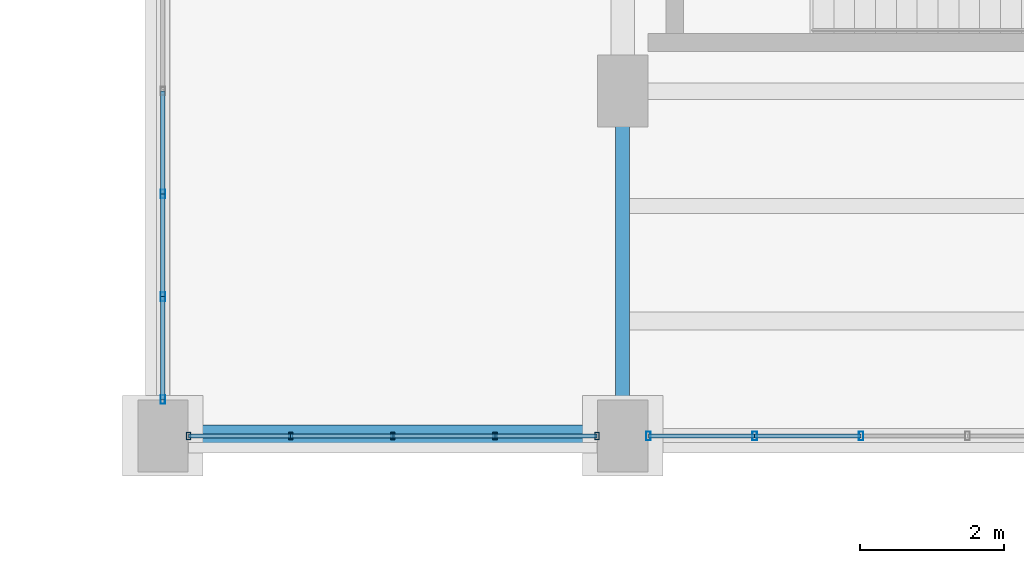
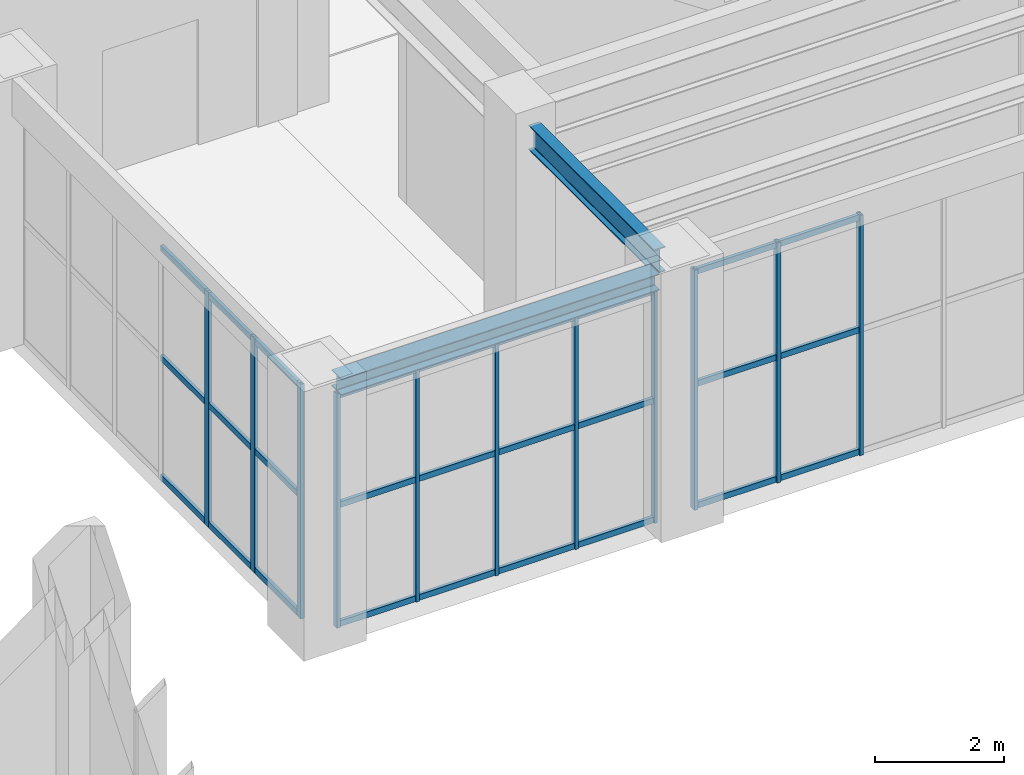
# One storey, part 54 of 174: 38 members, 2 beams, 3 elements without a shape of their own.
"""IFC4 building model written with IfcOpenShell, lengths in metres."""

from ifc_helpers import new_model, si_unit, direction, frame, origin, origin_2d, place, context, subcontext, project, spatial, hollow_rectangle, i_section, extrude, material, material_profile, profile_set, type_object, element, aggregate, save


model = new_model("IFC4")

# Units and contexts
model_context = context("Model", 3, precision=1e-05, world=origin(), true_north=direction((0.0, 1.0)))
body_context = subcontext(model_context, "Body", "Model", "MODEL_VIEW")
ifc_project = project(units=[si_unit("LENGTHUNIT", "METRE"), si_unit("AREAUNIT", "SQUARE_METRE"), si_unit("VOLUMEUNIT", "CUBIC_METRE"), si_unit("PLANEANGLEUNIT", "RADIAN"), si_unit("MASSUNIT", "GRAM", prefix="KILO")], contexts=[model_context])

# Site, building, storey
site_placement = place(None, origin())
site = spatial("IfcSite", under=ifc_project, at=site_placement, CompositionType="ELEMENT")
building_placement = place(site_placement, origin())
building = spatial("IfcBuilding", under=site, at=building_placement, Name="Mavantir Sound Aquarium", CompositionType="ELEMENT")
storey_placement = place(building_placement, frame((0.0, 0.0, 5.39990234375)))
storey = spatial("IfcBuildingStorey", under=building, at=storey_placement, Name="L01", CompositionType="ELEMENT", Elevation=5.39990234375)

# Beams
ifc_material_1 = material(Name="Structural Steel ASTM A992 Gr50", Category="steel")
ifc_material_profile_1 = material_profile(ifc_material_1, i_section(OverallWidth=0.304931640625, OverallDepth=0.30810546875, WebThickness=0.010009765625, FlangeThickness=0.015380859375, FilletRadius=0.014892578125, at=origin_2d()), Name="W310X97")
ifc_profile_set_1 = profile_set([ifc_material_profile_1], Name="Structural Steel ASTM A992 Gr50")
beam_type_1 = type_object("IfcBeamType", Name="BM-W310X97-E", PredefinedType="SPANDREL", material=ifc_profile_set_1)
beam_1_placement = place(storey_placement, frame((101.949951171875, 36.0, 4.6220703125), z_axis=(1.0, 0.0, 0.0), x_axis=(0.0, 1.0, 0.0)))
element("IfcBeam", 1, at=beam_1_placement, inside=storey, type_object=beam_type_1, Name="L01 primary beam SS-31A 1237", PredefinedType="SPANDREL", context=body_context, shape_type="SweptSolid", body=[
    extrude(i_section(OverallWidth=0.304931640625, OverallDepth=0.30810546875, WebThickness=0.010009765625, FlangeThickness=0.015380859375, FilletRadius=0.014892578125, at=origin_2d()), origin(), (0.0, 0.0, 1.0), 5.699951171875),
])
ifc_material_profile_2 = material_profile(ifc_material_1, i_section(OverallWidth=0.194091796875, OverallDepth=0.468994140625, WebThickness=0.0126953125, FlangeThickness=0.0205078125, FilletRadius=0.01611328125, at=origin_2d()), Name="W460X106")
ifc_profile_set_2 = profile_set([ifc_material_profile_2], Name="Structural Steel ASTM A992 Gr50")
beam_type_2 = type_object("IfcBeamType", Name="BM-W460X106-I", PredefinedType="BEAM", material=ifc_profile_set_2)
beam_2_placement = place(storey_placement, frame((108.0, 36.449951171875, 4.54150390625), z_axis=(0.0, 1.0, 0.0), x_axis=(-1.0, 0.0, 0.0)))
element("IfcBeam", 2, at=beam_2_placement, inside=storey, type_object=beam_type_2, Name="L01 primary girder SB-46 1290", PredefinedType="BEAM", context=body_context, shape_type="SweptSolid", body=[
    extrude(i_section(OverallWidth=0.194091796875, OverallDepth=0.468994140625, WebThickness=0.0126953125, FlangeThickness=0.0205078125, FilletRadius=0.01611328125, at=origin_2d()), origin(), (0.0, 0.0, 1.0), 3.900146484375),
])

# Curtain wall, members
ifc_material_2 = material(Name="Anodised Marine Aluminium and Low-E Glass", Category="aluminium")
curtain_wall_type_1 = type_object("IfcCurtainWallType", Name="CW-T01", PredefinedType="USERDEFINED", material=ifc_material_2)
curtain_wall_1_placement = place(storey_placement, origin())
curtain_wall_1 = element("IfcCurtainWall", 3, at=curtain_wall_1_placement, inside=storey, type_object=curtain_wall_type_1, Name="L01 unitised curtain wall CW-01 97", ObjectType="UNITISED GLAZING", PredefinedType="USERDEFINED")
ifc_material_3 = material(Name="Anodised Marine Aluminium 6063-T6", Category="aluminium")
ifc_material_profile_3 = material_profile(ifc_material_3, hollow_rectangle(XDim=0.06005859375, YDim=0.10009765625, WallThickness=0.00390625, at=origin_2d()), Name="ALU-MULLION-100X60")
ifc_profile_set_3 = profile_set([ifc_material_profile_3], Name="Anodised Marine Aluminium 6063-T6")
member_type_1 = type_object("IfcMemberType", Name="CW-MUL-100", PredefinedType="MULLION", material=ifc_profile_set_3)
member_1_placement = place(storey_placement, frame((101.9580078125, 36.0, 0.0), z_axis=(0.0, 0.0, 1.0), x_axis=(1.0, 0.0, 0.0)))
member_1 = element("IfcMember", 4, at=member_1_placement, type_object=member_type_1, Name="CW-L01-097 vertical mullion 1", PredefinedType="MULLION", context=body_context, shape_type="SweptSolid", body=[
    extrude(hollow_rectangle(XDim=0.06005859375, YDim=0.10009765625, WallThickness=0.00390625, at=origin_2d()), origin(), (0.0, 0.0, 1.0), 4.43798828125),
])
member_2_placement = place(storey_placement, frame((103.37890625, 36.0, 0.0), z_axis=(0.0, 0.0, 1.0), x_axis=(1.0, 0.0, 0.0)))
member_2 = element("IfcMember", 5, at=member_2_placement, type_object=member_type_1, Name="CW-L01-097 vertical mullion 2", PredefinedType="MULLION", context=body_context, shape_type="SweptSolid", body=[
    extrude(hollow_rectangle(XDim=0.06005859375, YDim=0.10009765625, WallThickness=0.00390625, at=origin_2d()), origin(), (0.0, 0.0, 1.0), 4.43798828125),
])
member_3_placement = place(storey_placement, frame((104.800048828125, 36.0, 0.0), z_axis=(0.0, 0.0, 1.0), x_axis=(1.0, 0.0, 0.0)))
member_3 = element("IfcMember", 6, at=member_3_placement, type_object=member_type_1, Name="CW-L01-097 vertical mullion 3", PredefinedType="MULLION", context=body_context, shape_type="SweptSolid", body=[
    extrude(hollow_rectangle(XDim=0.06005859375, YDim=0.10009765625, WallThickness=0.00390625, at=origin_2d()), origin(), (0.0, 0.0, 1.0), 4.43798828125),
])
member_4_placement = place(storey_placement, frame((106.220947265625, 36.0, 0.0), z_axis=(0.0, 0.0, 1.0), x_axis=(1.0, 0.0, 0.0)))
member_4 = element("IfcMember", 7, at=member_4_placement, type_object=member_type_1, Name="CW-L01-097 vertical mullion 4", PredefinedType="MULLION", context=body_context, shape_type="SweptSolid", body=[
    extrude(hollow_rectangle(XDim=0.06005859375, YDim=0.10009765625, WallThickness=0.00390625, at=origin_2d()), origin(), (0.0, 0.0, 1.0), 4.43798828125),
])
member_5_placement = place(storey_placement, frame((107.64208984375, 36.0, 0.0), z_axis=(0.0, 0.0, 1.0), x_axis=(1.0, 0.0, 0.0)))
member_5 = element("IfcMember", 8, at=member_5_placement, type_object=member_type_1, Name="CW-L01-097 vertical mullion 5", PredefinedType="MULLION", context=body_context, shape_type="SweptSolid", body=[
    extrude(hollow_rectangle(XDim=0.06005859375, YDim=0.10009765625, WallThickness=0.00390625, at=origin_2d()), origin(), (0.0, 0.0, 1.0), 4.43798828125),
])

curtain_wall_type_2 = type_object("IfcCurtainWallType", Name="CW-T24", PredefinedType="USERDEFINED", material=ifc_material_2)
curtain_wall_2_placement = place(storey_placement, origin())
curtain_wall_2 = element("IfcCurtainWall", 9, at=curtain_wall_2_placement, inside=storey, type_object=curtain_wall_type_2, Name="L01 unitised curtain wall CW-24 96", ObjectType="UNITISED GLAZING", PredefinedType="USERDEFINED")
ifc_material_profile_4 = material_profile(ifc_material_3, hollow_rectangle(XDim=0.06494140625, YDim=0.1201171875, WallThickness=0.00390625, at=origin_2d()), Name="ALU-MULLION-120X65")
ifc_profile_set_4 = profile_set([ifc_material_profile_4], Name="Anodised Marine Aluminium 6063-T6")
member_type_2 = type_object("IfcMemberType", Name="CW-MUL-120", PredefinedType="MULLION", material=ifc_profile_set_4)
member_6_placement = place(storey_placement, frame((101.60009765625, 39.369384765625, 0.0), z_axis=(0.0, 0.0, 1.0), x_axis=(1.0, 0.0, 0.0)))
member_6 = element("IfcMember", 10, at=member_6_placement, type_object=member_type_2, Name="CW-L01-096 vertical mullion 5", PredefinedType="MULLION", context=body_context, shape_type="SweptSolid", body=[
    extrude(hollow_rectangle(XDim=0.06494140625, YDim=0.1201171875, WallThickness=0.00390625, at=origin_2d()), origin(), (0.0, 0.0, 1.0), 4.446044921875),
])
member_7_placement = place(storey_placement, frame((101.60009765625, 37.938720703125, 0.0), z_axis=(0.0, 0.0, 1.0), x_axis=(1.0, 0.0, 0.0)))
member_7 = element("IfcMember", 11, at=member_7_placement, type_object=member_type_2, Name="CW-L01-096 vertical mullion 6", PredefinedType="MULLION", context=body_context, shape_type="SweptSolid", body=[
    extrude(hollow_rectangle(XDim=0.06494140625, YDim=0.1201171875, WallThickness=0.00390625, at=origin_2d()), origin(), (0.0, 0.0, 1.0), 4.446044921875),
])
member_8_placement = place(storey_placement, frame((101.60009765625, 36.508056640625, 0.0), z_axis=(0.0, 0.0, 1.0), x_axis=(1.0, 0.0, 0.0)))
member_8 = element("IfcMember", 12, at=member_8_placement, type_object=member_type_2, Name="CW-L01-096 vertical mullion 7", PredefinedType="MULLION", context=body_context, shape_type="SweptSolid", body=[
    extrude(hollow_rectangle(XDim=0.06494140625, YDim=0.1201171875, WallThickness=0.00390625, at=origin_2d()), origin(), (0.0, 0.0, 1.0), 4.446044921875),
])

curtain_wall_type_3 = type_object("IfcCurtainWallType", Name="CW-T02", PredefinedType="USERDEFINED", material=ifc_material_2)
curtain_wall_3_placement = place(storey_placement, origin())
curtain_wall_3 = element("IfcCurtainWall", 13, at=curtain_wall_3_placement, inside=storey, type_object=curtain_wall_type_3, Name="L01 unitised curtain wall CW-02 98", ObjectType="UNITISED GLAZING", PredefinedType="USERDEFINED")
member_9_placement = place(storey_placement, frame((108.35791015625, 36.0, 0.0), z_axis=(0.0, 0.0, 1.0), x_axis=(1.0, 0.0, 0.0)))
member_9 = element("IfcMember", 14, at=member_9_placement, type_object=member_type_2, Name="CW-L01-098 vertical mullion 1", PredefinedType="MULLION", context=body_context, shape_type="SweptSolid", body=[
    extrude(hollow_rectangle(XDim=0.06494140625, YDim=0.1201171875, WallThickness=0.00390625, at=origin_2d()), origin(), (0.0, 0.0, 1.0), 4.543212890625),
])
member_10_placement = place(storey_placement, frame((109.838623046875, 36.0, 0.0), z_axis=(0.0, 0.0, 1.0), x_axis=(1.0, 0.0, 0.0)))
member_10 = element("IfcMember", 15, at=member_10_placement, type_object=member_type_2, Name="CW-L01-098 vertical mullion 2", PredefinedType="MULLION", context=body_context, shape_type="SweptSolid", body=[
    extrude(hollow_rectangle(XDim=0.06494140625, YDim=0.1201171875, WallThickness=0.00390625, at=origin_2d()), origin(), (0.0, 0.0, 1.0), 4.543212890625),
])
member_11_placement = place(storey_placement, frame((111.3193359375, 36.0, 0.0), z_axis=(0.0, 0.0, 1.0), x_axis=(1.0, 0.0, 0.0)))
member_11 = element("IfcMember", 16, at=member_11_placement, type_object=member_type_2, Name="CW-L01-098 vertical mullion 3", PredefinedType="MULLION", context=body_context, shape_type="SweptSolid", body=[
    extrude(hollow_rectangle(XDim=0.06494140625, YDim=0.1201171875, WallThickness=0.00390625, at=origin_2d()), origin(), (0.0, 0.0, 1.0), 4.543212890625),
])

# Member
ifc_material_profile_5 = material_profile(ifc_material_3, hollow_rectangle(XDim=0.06005859375, YDim=0.110107421875, WallThickness=0.00390625, at=origin_2d()), Name="ALU-TRANSOM-110X60")
ifc_profile_set_5 = profile_set([ifc_material_profile_5], Name="Anodised Marine Aluminium 6063-T6")
member_type_3 = type_object("IfcMemberType", Name="CW-TRN-110", PredefinedType="USERDEFINED", material=ifc_profile_set_5)
member_12_placement = place(storey_placement, frame((101.60009765625, 40.800048828125, 0.05517578125), z_axis=(0.0, -1.0, 0.0), x_axis=(1.0, 0.0, 0.0)))
member_12 = element("IfcMember", 17, at=member_12_placement, type_object=member_type_3, Name="CW-L01-096 transom 4.1", ObjectType="TRANSOM", PredefinedType="USERDEFINED", context=body_context, shape_type="SweptSolid", body=[
    extrude(hollow_rectangle(XDim=0.06005859375, YDim=0.110107421875, WallThickness=0.00390625, at=origin_2d()), origin(), (0.0, 0.0, 1.0), 1.4306640625),
])

member_13_placement = place(storey_placement, frame((101.60009765625, 40.800048828125, 2.31201171875), z_axis=(0.0, -1.0, 0.0), x_axis=(1.0, 0.0, 0.0)))
member_13 = element("IfcMember", 18, at=member_13_placement, type_object=member_type_3, Name="CW-L01-096 transom 4.2", ObjectType="TRANSOM", PredefinedType="USERDEFINED", context=body_context, shape_type="SweptSolid", body=[
    extrude(hollow_rectangle(XDim=0.06005859375, YDim=0.110107421875, WallThickness=0.00390625, at=origin_2d()), origin(), (0.0, 0.0, 1.0), 1.4306640625),
])

member_14_placement = place(storey_placement, frame((101.60009765625, 40.800048828125, 4.39111328125), z_axis=(0.0, -1.0, 0.0), x_axis=(1.0, 0.0, 0.0)))
member_14 = element("IfcMember", 19, at=member_14_placement, type_object=member_type_3, Name="CW-L01-096 transom 4.3", ObjectType="TRANSOM", PredefinedType="USERDEFINED", context=body_context, shape_type="SweptSolid", body=[
    extrude(hollow_rectangle(XDim=0.06005859375, YDim=0.110107421875, WallThickness=0.00390625, at=origin_2d()), origin(), (0.0, 0.0, 1.0), 1.4306640625),
])

member_15_placement = place(storey_placement, frame((101.60009765625, 39.369384765625, 0.05517578125), z_axis=(0.0, -1.0, 0.0), x_axis=(1.0, 0.0, 0.0)))
member_15 = element("IfcMember", 20, at=member_15_placement, type_object=member_type_3, Name="CW-L01-096 transom 5.1", ObjectType="TRANSOM", PredefinedType="USERDEFINED", context=body_context, shape_type="SweptSolid", body=[
    extrude(hollow_rectangle(XDim=0.06005859375, YDim=0.110107421875, WallThickness=0.00390625, at=origin_2d()), origin(), (0.0, 0.0, 1.0), 1.4306640625),
])

member_16_placement = place(storey_placement, frame((101.60009765625, 39.369384765625, 2.31201171875), z_axis=(0.0, -1.0, 0.0), x_axis=(1.0, 0.0, 0.0)))
member_16 = element("IfcMember", 21, at=member_16_placement, type_object=member_type_3, Name="CW-L01-096 transom 5.2", ObjectType="TRANSOM", PredefinedType="USERDEFINED", context=body_context, shape_type="SweptSolid", body=[
    extrude(hollow_rectangle(XDim=0.06005859375, YDim=0.110107421875, WallThickness=0.00390625, at=origin_2d()), origin(), (0.0, 0.0, 1.0), 1.4306640625),
])

member_17_placement = place(storey_placement, frame((101.60009765625, 39.369384765625, 4.39111328125), z_axis=(0.0, -1.0, 0.0), x_axis=(1.0, 0.0, 0.0)))
member_17 = element("IfcMember", 22, at=member_17_placement, type_object=member_type_3, Name="CW-L01-096 transom 5.3", ObjectType="TRANSOM", PredefinedType="USERDEFINED", context=body_context, shape_type="SweptSolid", body=[
    extrude(hollow_rectangle(XDim=0.06005859375, YDim=0.110107421875, WallThickness=0.00390625, at=origin_2d()), origin(), (0.0, 0.0, 1.0), 1.4306640625),
])

member_18_placement = place(storey_placement, frame((101.60009765625, 37.938720703125, 0.05517578125), z_axis=(0.0, -1.0, 0.0), x_axis=(1.0, 0.0, 0.0)))
member_18 = element("IfcMember", 23, at=member_18_placement, type_object=member_type_3, Name="CW-L01-096 transom 6.1", ObjectType="TRANSOM", PredefinedType="USERDEFINED", context=body_context, shape_type="SweptSolid", body=[
    extrude(hollow_rectangle(XDim=0.06005859375, YDim=0.110107421875, WallThickness=0.00390625, at=origin_2d()), origin(), (0.0, 0.0, 1.0), 1.4306640625),
])

member_19_placement = place(storey_placement, frame((101.60009765625, 37.938720703125, 2.31201171875), z_axis=(0.0, -1.0, 0.0), x_axis=(1.0, 0.0, 0.0)))
member_19 = element("IfcMember", 24, at=member_19_placement, type_object=member_type_3, Name="CW-L01-096 transom 6.2", ObjectType="TRANSOM", PredefinedType="USERDEFINED", context=body_context, shape_type="SweptSolid", body=[
    extrude(hollow_rectangle(XDim=0.06005859375, YDim=0.110107421875, WallThickness=0.00390625, at=origin_2d()), origin(), (0.0, 0.0, 1.0), 1.4306640625),
])

member_20_placement = place(storey_placement, frame((101.60009765625, 37.938720703125, 4.39111328125), z_axis=(0.0, -1.0, 0.0), x_axis=(1.0, 0.0, 0.0)))
member_20 = element("IfcMember", 25, at=member_20_placement, type_object=member_type_3, Name="CW-L01-096 transom 6.3", ObjectType="TRANSOM", PredefinedType="USERDEFINED", context=body_context, shape_type="SweptSolid", body=[
    extrude(hollow_rectangle(XDim=0.06005859375, YDim=0.110107421875, WallThickness=0.00390625, at=origin_2d()), origin(), (0.0, 0.0, 1.0), 1.4306640625),
])

aggregate(curtain_wall_2, [member_6, member_7, member_8, member_12, member_13, member_14, member_15, member_16, member_17, member_18, member_19, member_20])

member_21_placement = place(storey_placement, frame((101.9580078125, 36.0, 0.05517578125), z_axis=(1.0, 0.0, 0.0), x_axis=(0.0, 1.0, 0.0)))
member_21 = element("IfcMember", 26, at=member_21_placement, type_object=member_type_3, Name="CW-L01-097 transom 1.1", ObjectType="TRANSOM", PredefinedType="USERDEFINED", context=body_context, shape_type="SweptSolid", body=[
    extrude(hollow_rectangle(XDim=0.06005859375, YDim=0.110107421875, WallThickness=0.00390625, at=origin_2d()), origin(), (0.0, 0.0, 1.0), 1.4208984375),
])

member_22_placement = place(storey_placement, frame((101.9580078125, 36.0, 2.307861328125), z_axis=(1.0, 0.0, 0.0), x_axis=(0.0, 1.0, 0.0)))
member_22 = element("IfcMember", 27, at=member_22_placement, type_object=member_type_3, Name="CW-L01-097 transom 1.2", ObjectType="TRANSOM", PredefinedType="USERDEFINED", context=body_context, shape_type="SweptSolid", body=[
    extrude(hollow_rectangle(XDim=0.06005859375, YDim=0.110107421875, WallThickness=0.00390625, at=origin_2d()), origin(), (0.0, 0.0, 1.0), 1.4208984375),
])

member_23_placement = place(storey_placement, frame((101.9580078125, 36.0, 4.383056640625), z_axis=(1.0, 0.0, 0.0), x_axis=(0.0, 1.0, 0.0)))
member_23 = element("IfcMember", 28, at=member_23_placement, type_object=member_type_3, Name="CW-L01-097 transom 1.3", ObjectType="TRANSOM", PredefinedType="USERDEFINED", context=body_context, shape_type="SweptSolid", body=[
    extrude(hollow_rectangle(XDim=0.06005859375, YDim=0.110107421875, WallThickness=0.00390625, at=origin_2d()), origin(), (0.0, 0.0, 1.0), 1.4208984375),
])

member_24_placement = place(storey_placement, frame((103.37890625, 36.0, 0.05517578125), z_axis=(1.0, 0.0, 0.0), x_axis=(0.0, 1.0, 0.0)))
member_24 = element("IfcMember", 29, at=member_24_placement, type_object=member_type_3, Name="CW-L01-097 transom 2.1", ObjectType="TRANSOM", PredefinedType="USERDEFINED", context=body_context, shape_type="SweptSolid", body=[
    extrude(hollow_rectangle(XDim=0.06005859375, YDim=0.110107421875, WallThickness=0.00390625, at=origin_2d()), origin(), (0.0, 0.0, 1.0), 1.421142578125),
])

member_25_placement = place(storey_placement, frame((103.37890625, 36.0, 2.307861328125), z_axis=(1.0, 0.0, 0.0), x_axis=(0.0, 1.0, 0.0)))
member_25 = element("IfcMember", 30, at=member_25_placement, type_object=member_type_3, Name="CW-L01-097 transom 2.2", ObjectType="TRANSOM", PredefinedType="USERDEFINED", context=body_context, shape_type="SweptSolid", body=[
    extrude(hollow_rectangle(XDim=0.06005859375, YDim=0.110107421875, WallThickness=0.00390625, at=origin_2d()), origin(), (0.0, 0.0, 1.0), 1.421142578125),
])

member_26_placement = place(storey_placement, frame((103.37890625, 36.0, 4.383056640625), z_axis=(1.0, 0.0, 0.0), x_axis=(0.0, 1.0, 0.0)))
member_26 = element("IfcMember", 31, at=member_26_placement, type_object=member_type_3, Name="CW-L01-097 transom 2.3", ObjectType="TRANSOM", PredefinedType="USERDEFINED", context=body_context, shape_type="SweptSolid", body=[
    extrude(hollow_rectangle(XDim=0.06005859375, YDim=0.110107421875, WallThickness=0.00390625, at=origin_2d()), origin(), (0.0, 0.0, 1.0), 1.421142578125),
])

member_27_placement = place(storey_placement, frame((104.800048828125, 36.0, 0.05517578125), z_axis=(1.0, 0.0, 0.0), x_axis=(0.0, 1.0, 0.0)))
member_27 = element("IfcMember", 32, at=member_27_placement, type_object=member_type_3, Name="CW-L01-097 transom 3.1", ObjectType="TRANSOM", PredefinedType="USERDEFINED", context=body_context, shape_type="SweptSolid", body=[
    extrude(hollow_rectangle(XDim=0.06005859375, YDim=0.110107421875, WallThickness=0.00390625, at=origin_2d()), origin(), (0.0, 0.0, 1.0), 1.4208984375),
])

member_28_placement = place(storey_placement, frame((104.800048828125, 36.0, 2.307861328125), z_axis=(1.0, 0.0, 0.0), x_axis=(0.0, 1.0, 0.0)))
member_28 = element("IfcMember", 33, at=member_28_placement, type_object=member_type_3, Name="CW-L01-097 transom 3.2", ObjectType="TRANSOM", PredefinedType="USERDEFINED", context=body_context, shape_type="SweptSolid", body=[
    extrude(hollow_rectangle(XDim=0.06005859375, YDim=0.110107421875, WallThickness=0.00390625, at=origin_2d()), origin(), (0.0, 0.0, 1.0), 1.4208984375),
])

member_29_placement = place(storey_placement, frame((104.800048828125, 36.0, 4.383056640625), z_axis=(1.0, 0.0, 0.0), x_axis=(0.0, 1.0, 0.0)))
member_29 = element("IfcMember", 34, at=member_29_placement, type_object=member_type_3, Name="CW-L01-097 transom 3.3", ObjectType="TRANSOM", PredefinedType="USERDEFINED", context=body_context, shape_type="SweptSolid", body=[
    extrude(hollow_rectangle(XDim=0.06005859375, YDim=0.110107421875, WallThickness=0.00390625, at=origin_2d()), origin(), (0.0, 0.0, 1.0), 1.4208984375),
])

member_30_placement = place(storey_placement, frame((106.220947265625, 36.0, 0.05517578125), z_axis=(1.0, 0.0, 0.0), x_axis=(0.0, 1.0, 0.0)))
member_30 = element("IfcMember", 35, at=member_30_placement, type_object=member_type_3, Name="CW-L01-097 transom 4.1", ObjectType="TRANSOM", PredefinedType="USERDEFINED", context=body_context, shape_type="SweptSolid", body=[
    extrude(hollow_rectangle(XDim=0.06005859375, YDim=0.110107421875, WallThickness=0.00390625, at=origin_2d()), origin(), (0.0, 0.0, 1.0), 1.421142578125),
])

member_31_placement = place(storey_placement, frame((106.220947265625, 36.0, 2.307861328125), z_axis=(1.0, 0.0, 0.0), x_axis=(0.0, 1.0, 0.0)))
member_31 = element("IfcMember", 36, at=member_31_placement, type_object=member_type_3, Name="CW-L01-097 transom 4.2", ObjectType="TRANSOM", PredefinedType="USERDEFINED", context=body_context, shape_type="SweptSolid", body=[
    extrude(hollow_rectangle(XDim=0.06005859375, YDim=0.110107421875, WallThickness=0.00390625, at=origin_2d()), origin(), (0.0, 0.0, 1.0), 1.421142578125),
])

member_32_placement = place(storey_placement, frame((106.220947265625, 36.0, 4.383056640625), z_axis=(1.0, 0.0, 0.0), x_axis=(0.0, 1.0, 0.0)))
member_32 = element("IfcMember", 37, at=member_32_placement, type_object=member_type_3, Name="CW-L01-097 transom 4.3", ObjectType="TRANSOM", PredefinedType="USERDEFINED", context=body_context, shape_type="SweptSolid", body=[
    extrude(hollow_rectangle(XDim=0.06005859375, YDim=0.110107421875, WallThickness=0.00390625, at=origin_2d()), origin(), (0.0, 0.0, 1.0), 1.421142578125),
])

aggregate(curtain_wall_1, [member_1, member_2, member_3, member_4, member_5, member_21, member_22, member_23, member_24, member_25, member_26, member_27, member_28, member_29, member_30, member_31, member_32])

member_33_placement = place(storey_placement, frame((108.35791015625, 36.0, 0.05517578125), z_axis=(1.0, 0.0, 0.0), x_axis=(0.0, 1.0, 0.0)))
member_33 = element("IfcMember", 38, at=member_33_placement, type_object=member_type_3, Name="CW-L01-098 transom 1.1", ObjectType="TRANSOM", PredefinedType="USERDEFINED", context=body_context, shape_type="SweptSolid", body=[
    extrude(hollow_rectangle(XDim=0.06005859375, YDim=0.110107421875, WallThickness=0.00390625, at=origin_2d()), origin(), (0.0, 0.0, 1.0), 1.480712890625),
])

member_34_placement = place(storey_placement, frame((108.35791015625, 36.0, 2.362548828125), z_axis=(1.0, 0.0, 0.0), x_axis=(0.0, 1.0, 0.0)))
member_34 = element("IfcMember", 39, at=member_34_placement, type_object=member_type_3, Name="CW-L01-098 transom 1.2", ObjectType="TRANSOM", PredefinedType="USERDEFINED", context=body_context, shape_type="SweptSolid", body=[
    extrude(hollow_rectangle(XDim=0.06005859375, YDim=0.110107421875, WallThickness=0.00390625, at=origin_2d()), origin(), (0.0, 0.0, 1.0), 1.480712890625),
])

member_35_placement = place(storey_placement, frame((108.35791015625, 36.0, 4.488037109375), z_axis=(1.0, 0.0, 0.0), x_axis=(0.0, 1.0, 0.0)))
member_35 = element("IfcMember", 40, at=member_35_placement, type_object=member_type_3, Name="CW-L01-098 transom 1.3", ObjectType="TRANSOM", PredefinedType="USERDEFINED", context=body_context, shape_type="SweptSolid", body=[
    extrude(hollow_rectangle(XDim=0.06005859375, YDim=0.110107421875, WallThickness=0.00390625, at=origin_2d()), origin(), (0.0, 0.0, 1.0), 1.480712890625),
])

member_36_placement = place(storey_placement, frame((109.838623046875, 36.0, 0.05517578125), z_axis=(1.0, 0.0, 0.0), x_axis=(0.0, 1.0, 0.0)))
member_36 = element("IfcMember", 41, at=member_36_placement, type_object=member_type_3, Name="CW-L01-098 transom 2.1", ObjectType="TRANSOM", PredefinedType="USERDEFINED", context=body_context, shape_type="SweptSolid", body=[
    extrude(hollow_rectangle(XDim=0.06005859375, YDim=0.110107421875, WallThickness=0.00390625, at=origin_2d()), origin(), (0.0, 0.0, 1.0), 1.480712890625),
])

member_37_placement = place(storey_placement, frame((109.838623046875, 36.0, 2.362548828125), z_axis=(1.0, 0.0, 0.0), x_axis=(0.0, 1.0, 0.0)))
member_37 = element("IfcMember", 42, at=member_37_placement, type_object=member_type_3, Name="CW-L01-098 transom 2.2", ObjectType="TRANSOM", PredefinedType="USERDEFINED", context=body_context, shape_type="SweptSolid", body=[
    extrude(hollow_rectangle(XDim=0.06005859375, YDim=0.110107421875, WallThickness=0.00390625, at=origin_2d()), origin(), (0.0, 0.0, 1.0), 1.480712890625),
])

member_38_placement = place(storey_placement, frame((109.838623046875, 36.0, 4.488037109375), z_axis=(1.0, 0.0, 0.0), x_axis=(0.0, 1.0, 0.0)))
member_38 = element("IfcMember", 43, at=member_38_placement, type_object=member_type_3, Name="CW-L01-098 transom 2.3", ObjectType="TRANSOM", PredefinedType="USERDEFINED", context=body_context, shape_type="SweptSolid", body=[
    extrude(hollow_rectangle(XDim=0.06005859375, YDim=0.110107421875, WallThickness=0.00390625, at=origin_2d()), origin(), (0.0, 0.0, 1.0), 1.480712890625),
])

aggregate(curtain_wall_3, [member_9, member_10, member_11, member_33, member_34, member_35, member_36, member_37, member_38])

save(model, "model.ifc")
